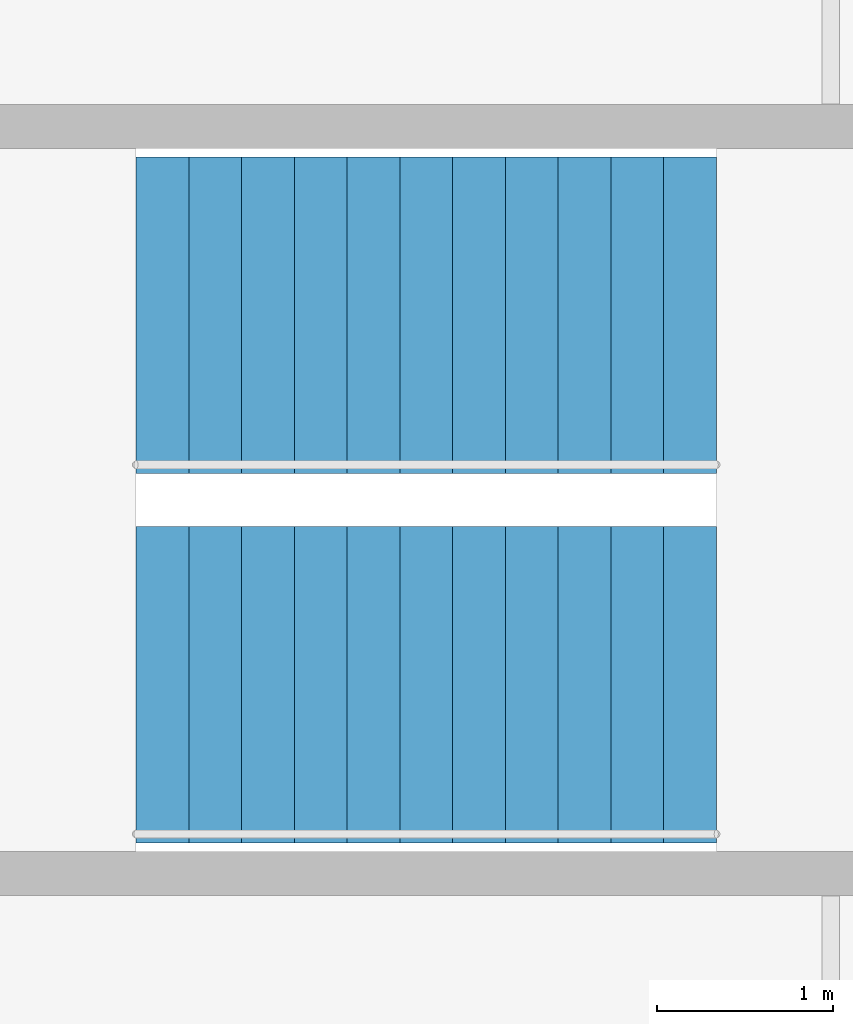
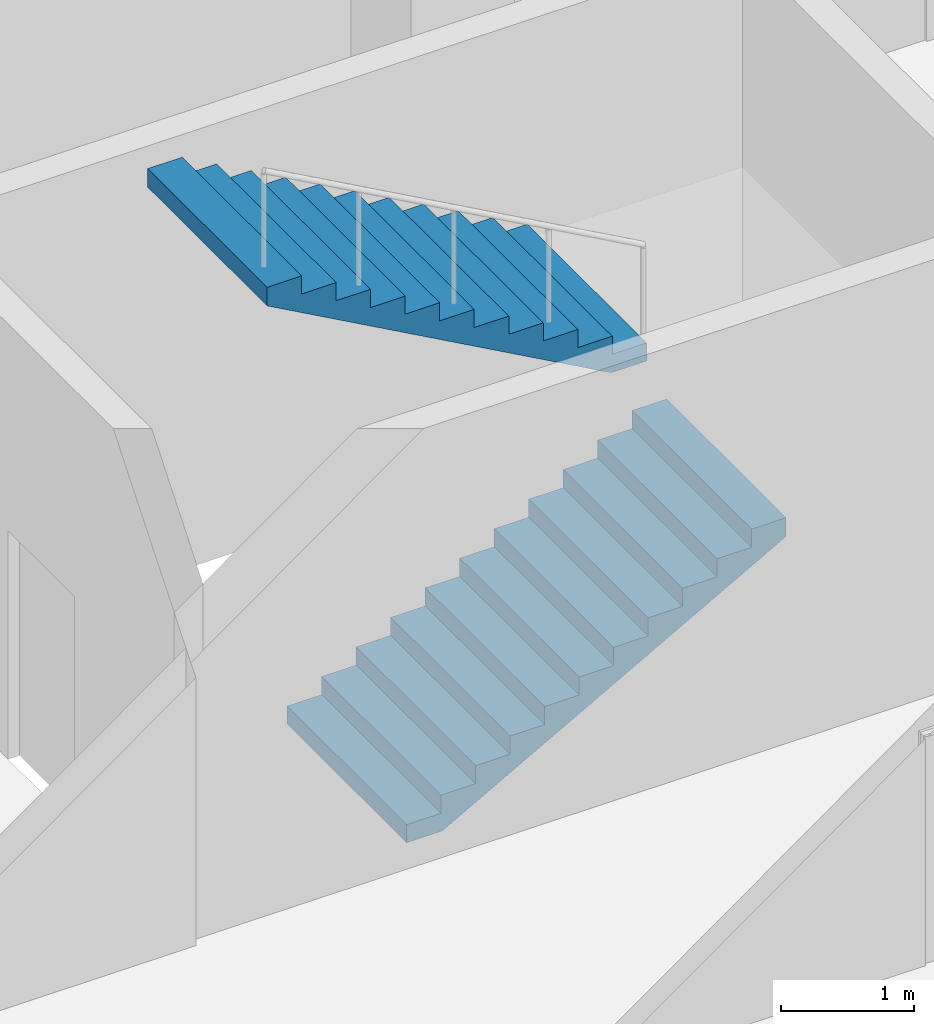
# One storey, part 6 of 8: 2 stair flights, 1 element without a shape of its own.
"""IFC4 building model written with IfcOpenShell, lengths in metres."""

from ifc_helpers import new_model, si_unit, direction, frame, origin, place, context, subcontext, project, spatial, polyline, outline, extrude, material, type_object, element, aggregate, save


model = new_model("IFC4")

# Units and contexts
model_context = context("Model", 3, precision=1e-05, world=origin(), true_north=direction((0.0, 1.0)))
body_context = subcontext(model_context, "Body", "Model", "MODEL_VIEW")
ifc_project = project(units=[si_unit("LENGTHUNIT", "METRE"), si_unit("AREAUNIT", "SQUARE_METRE"), si_unit("VOLUMEUNIT", "CUBIC_METRE"), si_unit("PLANEANGLEUNIT", "RADIAN"), si_unit("MASSUNIT", "GRAM", prefix="KILO")], contexts=[model_context])

# Site, building, storey
site_placement = place(None, origin())
site = spatial("IfcSite", under=ifc_project, at=site_placement, CompositionType="ELEMENT")
building_placement = place(site_placement, origin())
building = spatial("IfcBuilding", under=site, at=building_placement, Name="Cinnabar Reach Civic Tower", CompositionType="ELEMENT")
storey_placement = place(building_placement, frame((0.0, 0.0, 185.0)))
storey = spatial("IfcBuildingStorey", under=building, at=storey_placement, Name="L44", CompositionType="ELEMENT", Elevation=185.0)

# Stair, stair flights
ifc_material = material(Name="Concrete C40/50", Category="concrete")
stair_type = type_object("IfcStairType", Name="T1 Exit stair, half-turn", PredefinedType="HALF_TURN_STAIR", material=ifc_material)
stair_placement = place(storey_placement, origin())
stair = element("IfcStair", 1, at=stair_placement, inside=storey, type_object=stair_type, Name="Stair T1-S3", PredefinedType="HALF_TURN_STAIR")
stair_flight_type = type_object("IfcStairFlightType", Name="T1 Stair flight, concrete", PredefinedType="STRAIGHT", material=ifc_material)
stair_flight_1_placement = place(storey_placement, frame((32.05, 30.45, 0.0), z_axis=(0.0, 0.0, 1.0), x_axis=(1.0, 0.0, 0.0)))
stair_flight_1 = element("IfcStairFlight", 2, at=stair_flight_1_placement, type_object=stair_flight_type, Name="T1-S3 flight 1", NumberOfRisers=12, NumberOfTreads=11, PredefinedType="STRAIGHT", RiserHeight=0.166666667, TreadLength=0.3, context=body_context, shape_type="SweptSolid", body=[
    extrude(outline(polyline([(0.0, 0.0), (0.0, 0.1667), (0.3, 0.1667), (0.3, 0.3333), (0.6, 0.3333), (0.6, 0.5), (0.9, 0.5), (0.9, 0.6667), (1.2, 0.6667), (1.2, 0.8333), (1.5, 0.8333), (1.5, 1.0), (1.8, 1.0), (1.8, 1.1667), (2.1, 1.1667), (2.1, 1.3333), (2.4, 1.3333), (2.4, 1.5), (2.7, 1.5), (2.7, 1.6667), (3.0, 1.6667), (3.0, 1.8333), (3.3, 1.8333), (3.3, 2.0), (3.3, 1.6617), (0.3089, 0.0), (0.0, 0.0)])), frame((0.0, 0.9, 0.0), z_axis=(0.0, -1.0, 0.0), x_axis=(1.0, 0.0, 0.0)), (0.0, 0.0, 1.0), 1.8),
])
stair_flight_2_placement = place(storey_placement, frame((35.35, 32.55, 2.0), z_axis=(0.0, 0.0, 1.0), x_axis=(-1.0, 0.0, 0.0)))
stair_flight_2 = element("IfcStairFlight", 3, at=stair_flight_2_placement, type_object=stair_flight_type, Name="T1-S3 flight 2", NumberOfRisers=12, NumberOfTreads=11, PredefinedType="STRAIGHT", RiserHeight=0.166666667, TreadLength=0.3, context=body_context, shape_type="SweptSolid", body=[
    extrude(outline(polyline([(0.0, 0.0), (0.0, 0.1667), (0.3, 0.1667), (0.3, 0.3333), (0.6, 0.3333), (0.6, 0.5), (0.9, 0.5), (0.9, 0.6667), (1.2, 0.6667), (1.2, 0.8333), (1.5, 0.8333), (1.5, 1.0), (1.8, 1.0), (1.8, 1.1667), (2.1, 1.1667), (2.1, 1.3333), (2.4, 1.3333), (2.4, 1.5), (2.7, 1.5), (2.7, 1.6667), (3.0, 1.6667), (3.0, 1.8333), (3.3, 1.8333), (3.3, 2.0), (3.3, 1.6617), (0.3089, 0.0), (0.0, 0.0)])), frame((0.0, 0.9, 0.0), z_axis=(0.0, -1.0, 0.0), x_axis=(1.0, 0.0, 0.0)), (0.0, 0.0, 1.0), 1.8),
])
aggregate(stair, [stair_flight_1, stair_flight_2])

save(model, "model.ifc")
